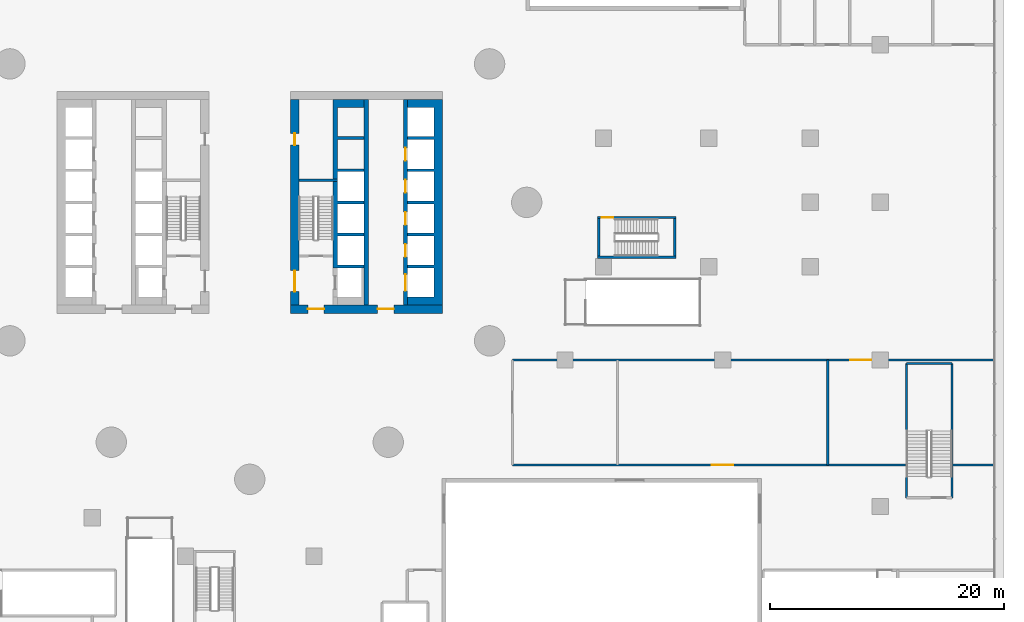
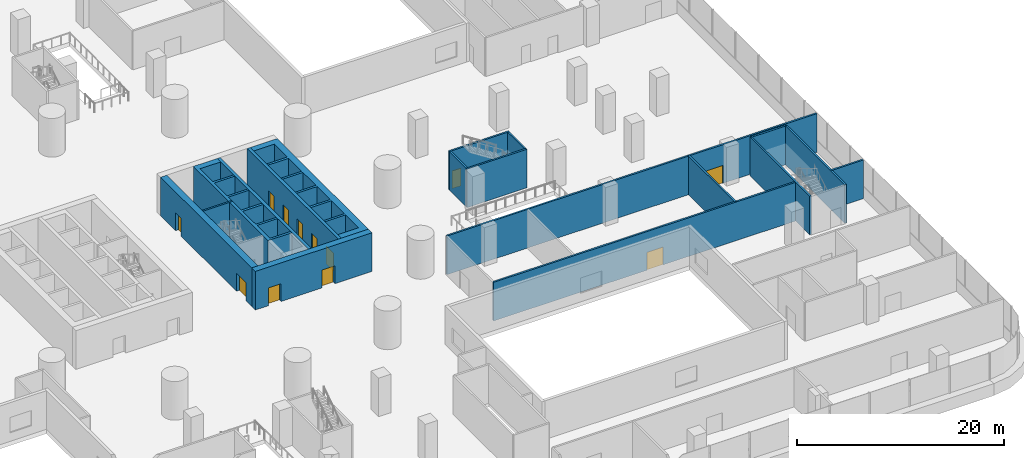
# One storey, part 26 of 38: 18 walls, 12 doors, 12 openings.
"""IFC4 building model written with IfcOpenShell, lengths in metres."""

from ifc_helpers import new_model, si_unit, direction, frame, frame_2d, origin, place, context, subcontext, project, spatial, polyline, rectangle, outline, extrude, material, layer, layer_set, type_object, element, fill, save


model = new_model("IFC4")

# Units and contexts
model_context = context("Model", 3, precision=1e-05, world=origin(), true_north=direction((0.0, 1.0)))
body_context = subcontext(model_context, "Body", "Model", "MODEL_VIEW")
ifc_project = project(units=[si_unit("LENGTHUNIT", "METRE"), si_unit("AREAUNIT", "SQUARE_METRE"), si_unit("VOLUMEUNIT", "CUBIC_METRE"), si_unit("PLANEANGLEUNIT", "RADIAN"), si_unit("MASSUNIT", "GRAM", prefix="KILO")], contexts=[model_context])

# Site, building, storey
site_placement = place(None, origin())
site = spatial("IfcSite", under=ifc_project, at=site_placement, CompositionType="ELEMENT")
building_placement = place(site_placement, origin())
building = spatial("IfcBuilding", under=site, at=building_placement, Name="Tamarind Cross Interchange Tower", CompositionType="ELEMENT")
storey_placement = place(building_placement, frame((0.0, 0.0, 20.0)))
storey = spatial("IfcBuildingStorey", under=building, at=storey_placement, Name="L03", CompositionType="ELEMENT", Elevation=20.0)

# Wall, openings, doors
ifc_material_1 = material(Name="Concrete C80", Category="concrete")
ifc_layer_1 = layer(ifc_material_1, 0.699951171875)
ifc_layer_set_1 = layer_set([ifc_layer_1], Name="Concrete C80")
wall_type_1 = type_object("IfcWallType", Name="Core wall 700 mm Concrete C80", PredefinedType="SHEAR", material=ifc_layer_set_1)
wall_1_placement = place(storey_placement, frame((16.5, -9.14990234375, 0.0), z_axis=(0.0, 0.0, 1.0), x_axis=(-1.0, 0.0, 0.0)))
wall_1 = element("IfcWall", 1, at=wall_1_placement, inside=storey, type_object=wall_type_1, Name="Core wall CWL-L03-E-S", PredefinedType="SHEAR", context=body_context, shape_type="SweptSolid", body=[
    extrude(rectangle(XDim=13.0, YDim=0.699951171875, at=frame_2d((6.5, 0.0))), origin(), (0.0, 0.0, 1.0), 4.550048828125),
])
opening_1_placement = place(wall_1_placement, frame((4.14990234375, 0.0, 0.0)))
opening_1 = element("IfcOpeningElement", 2, at=opening_1_placement, cuts=wall_1, Name="Opening DCE1", PredefinedType="OPENING", context=body_context, shape_type="SweptSolid", body=[
    extrude(rectangle(XDim=1.39990234375, YDim=2.10009765625, at=frame_2d((0.699951171875, 1.050048828125))), frame((0.0, 0.35986328125, 0.0), z_axis=(0.0, -1.0, 0.0), x_axis=(1.0, 0.0, 0.0)), (0.0, 0.0, 1.0), 0.719970703125),
])
opening_2_placement = place(wall_1_placement, frame((10.125, 0.0, 0.0)))
opening_2 = element("IfcOpeningElement", 3, at=opening_2_placement, cuts=wall_1, Name="Opening DCEF", PredefinedType="OPENING", context=body_context, shape_type="SweptSolid", body=[
    extrude(rectangle(XDim=1.39990234375, YDim=2.10009765625, at=frame_2d((0.699951171875, 1.050048828125))), frame((0.0, 0.35986328125, 0.0), z_axis=(0.0, -1.0, 0.0), x_axis=(1.0, 0.0, 0.0)), (0.0, 0.0, 1.0), 0.719970703125),
])
ifc_material_2 = material(Name="Steel, fire-resisting", Category="steel")
door_type_1 = type_object("IfcDoorType", Name="Core fire door 1400 x 2100 FD90", OperationType="SINGLE_SWING_LEFT", PredefinedType="DOOR", material=ifc_material_2)
door_1_placement = place(opening_1_placement, origin())
door_1 = element("IfcDoor", 4, at=door_1_placement, inside=storey, type_object=door_type_1, Name="L03 lift lobby door", OperationType="SINGLE_SWING_LEFT", OverallHeight=2.10009765625, OverallWidth=1.39990234375, PredefinedType="DOOR", context=body_context, shape_type="SweptSolid", body=[
    extrude(rectangle(XDim=1.39990234375, YDim=2.10009765625, at=frame_2d((0.699951171875, 1.050048828125))), frame((0.0, 0.02490234375, 0.0), z_axis=(0.0, -1.0, 0.0), x_axis=(1.0, 0.0, 0.0)), (0.0, 0.0, 1.0), 0.050048828125),
])
fill(opening_1, door_1)
door_2_placement = place(opening_2_placement, origin())
door_2 = element("IfcDoor", 5, at=door_2_placement, inside=storey, type_object=door_type_1, Name="L03 firefighting lobby end door", OperationType="SINGLE_SWING_LEFT", OverallHeight=2.10009765625, OverallWidth=1.39990234375, PredefinedType="DOOR", context=body_context, shape_type="SweptSolid", body=[
    extrude(rectangle(XDim=1.39990234375, YDim=2.10009765625, at=frame_2d((0.699951171875, 1.050048828125))), frame((0.0, 0.02490234375, 0.0), z_axis=(0.0, -1.0, 0.0), x_axis=(1.0, 0.0, 0.0)), (0.0, 0.0, 1.0), 0.050048828125),
])
fill(opening_2, door_2)

# Wall
wall_2_placement = place(storey_placement, origin())
element("IfcWall", 6, at=wall_2_placement, inside=storey, type_object=wall_type_1, Name="Core wall CWL-L03-E-A", PredefinedType="SHEAR", context=body_context, shape_type="SweptSolid", body=[
    extrude(outline(polyline([(13.5, -8.800048828125), (15.800048828125, -8.800048828125), (16.5, -8.800048828125), (16.5, 8.800048828125), (15.800048828125, 8.800048828125), (13.5, 8.800048828125), (13.5, 8.125), (15.800048828125, 8.125), (15.800048828125, 5.625), (13.5, 5.625), (13.5, 5.375), (15.800048828125, 5.375), (15.800048828125, 2.875), (13.5, 2.875), (13.5, 2.625), (15.800048828125, 2.625), (15.800048828125, 0.125), (13.5, 0.125), (13.5, -0.125), (15.800048828125, -0.125), (15.800048828125, -2.625), (13.5, -2.625), (13.5, -2.875), (15.800048828125, -2.875), (15.800048828125, -5.375), (13.5, -5.375), (13.5, -5.625), (15.800048828125, -5.625), (15.800048828125, -8.125), (13.5, -8.125), (13.5, -8.800048828125)])), origin(), (0.0, 0.0, 1.0), 4.550048828125),
])

# Wall, openings, doors
wall_3_placement = place(storey_placement, frame((3.85009765625, -8.800048828125, 0.0), z_axis=(0.0, 0.0, 1.0), x_axis=(0.0, 1.0, 0.0)))
wall_3 = element("IfcWall", 7, at=wall_3_placement, inside=storey, type_object=wall_type_1, Name="Core wall CWL-L03-E-IN", PredefinedType="SHEAR", context=body_context, shape_type="SweptSolid", body=[
    extrude(rectangle(XDim=17.60009765625, YDim=0.699951171875, at=frame_2d((8.800048828125, 0.0))), origin(), (0.0, 0.0, 1.0), 4.550048828125),
])
opening_3_placement = place(wall_3_placement, frame((1.14990234375, 0.0, 0.0)))
opening_3 = element("IfcOpeningElement", 8, at=opening_3_placement, cuts=wall_3, Name="Opening DCE4", PredefinedType="OPENING", context=body_context, shape_type="SweptSolid", body=[
    extrude(rectangle(XDim=1.800048828125, YDim=2.10009765625, at=frame_2d((0.89990234375, 1.050048828125))), frame((0.0, 0.35986328125, 0.0), z_axis=(0.0, -1.0, 0.0), x_axis=(1.0, 0.0, 0.0)), (0.0, 0.0, 1.0), 0.719970703125),
])
opening_4_placement = place(wall_3_placement, frame((13.699951171875, 0.0, 0.0)))
opening_4 = element("IfcOpeningElement", 9, at=opening_4_placement, cuts=wall_3, Name="Opening DCE5", PredefinedType="OPENING", context=body_context, shape_type="SweptSolid", body=[
    extrude(rectangle(XDim=1.0, YDim=2.10009765625, at=frame_2d((0.5, 1.050048828125))), frame((0.0, 0.35986328125, 0.0), z_axis=(0.0, -1.0, 0.0), x_axis=(1.0, 0.0, 0.0)), (0.0, 0.0, 1.0), 0.719970703125),
])
door_type_2 = type_object("IfcDoorType", Name="Core fire door 1000 x 2100 FD90", OperationType="SINGLE_SWING_LEFT", PredefinedType="DOOR", material=ifc_material_2)
door_3_placement = place(opening_4_placement, origin())
door_3 = element("IfcDoor", 10, at=door_3_placement, inside=storey, type_object=door_type_2, Name="L03 riser room door", OperationType="SINGLE_SWING_LEFT", OverallHeight=2.10009765625, OverallWidth=1.0, PredefinedType="DOOR", context=body_context, shape_type="SweptSolid", body=[
    extrude(rectangle(XDim=1.0, YDim=2.10009765625, at=frame_2d((0.5, 1.050048828125))), frame((0.0, 0.02490234375, 0.0), z_axis=(0.0, -1.0, 0.0), x_axis=(1.0, 0.0, 0.0)), (0.0, 0.0, 1.0), 0.050048828125),
])
fill(opening_4, door_3)
door_type_3 = type_object("IfcDoorType", Name="Core fire door 1800 x 2100 FD90", OperationType="SINGLE_SWING_LEFT", PredefinedType="DOOR", material=ifc_material_2)
door_4_placement = place(opening_3_placement, origin())
door_4 = element("IfcDoor", 11, at=door_4_placement, inside=storey, type_object=door_type_3, Name="L03 firefighting lobby door", OperationType="SINGLE_SWING_LEFT", OverallHeight=2.10009765625, OverallWidth=1.800048828125, PredefinedType="DOOR", context=body_context, shape_type="SweptSolid", body=[
    extrude(rectangle(XDim=1.800048828125, YDim=2.10009765625, at=frame_2d((0.89990234375, 1.050048828125))), frame((0.0, 0.02490234375, 0.0), z_axis=(0.0, -1.0, 0.0), x_axis=(1.0, 0.0, 0.0)), (0.0, 0.0, 1.0), 0.050048828125),
])
fill(opening_3, door_4)

# Walls
ifc_layer_2 = layer(ifc_material_1, 0.199951171875)
ifc_layer_set_2 = layer_set([ifc_layer_2], Name="Concrete C80")
wall_type_2 = type_object("IfcWallType", Name="Core web wall 200 mm Concrete C80", PredefinedType="SHEAR", material=ifc_layer_set_2)
wall_4_placement = place(storey_placement, frame((7.5, 1.89990234375, 0.0), z_axis=(0.0, 0.0, 1.0), x_axis=(-1.0, 0.0, 0.0)))
element("IfcWall", 12, at=wall_4_placement, inside=storey, type_object=wall_type_2, Name="Core wall CWL-L03-E-BD", PredefinedType="SHEAR", context=body_context, shape_type="SweptSolid", body=[
    extrude(rectangle(XDim=3.300048828125, YDim=0.199951171875, at=frame_2d((1.64990234375, 0.0))), origin(), (0.0, 0.0, 1.0), 4.550048828125),
])
ifc_layer_3 = layer(ifc_material_1, 0.35009765625)
ifc_layer_set_3 = layer_set([ifc_layer_3], Name="Concrete C80")
wall_type_3 = type_object("IfcWallType", Name="Core web wall 350 mm Concrete C80", PredefinedType="SHEAR", material=ifc_layer_set_3)
wall_5_placement = place(storey_placement, origin())
element("IfcWall", 13, at=wall_5_placement, inside=storey, type_object=wall_type_3, Name="Core wall CWL-L03-E-BN", PredefinedType="SHEAR", context=body_context, shape_type="SweptSolid", body=[
    extrude(outline(polyline([(9.800048828125, -5.375), (7.5, -5.375), (7.5, -2.875), (9.800048828125, -2.875), (9.800048828125, -2.625), (7.5, -2.625), (7.5, -0.125), (9.800048828125, -0.125), (9.800048828125, 0.125), (7.5, 0.125), (7.5, 2.625), (9.800048828125, 2.625), (9.800048828125, 2.875), (7.5, 2.875), (7.5, 5.375), (9.800048828125, 5.375), (9.800048828125, 5.625), (7.5, 5.625), (7.5, 8.125), (9.800048828125, 8.125), (9.800048828125, 8.800048828125), (7.5, 8.800048828125), (7.14990234375, 8.800048828125), (7.14990234375, -5.625), (7.5, -5.625), (9.800048828125, -5.625), (9.800048828125, -5.375)])), origin(), (0.0, 0.0, 1.0), 4.550048828125),
])

# Wall, openings, doors
wall_6_placement = place(storey_placement, frame((13.324951171875, -8.800048828125, 0.0), z_axis=(0.0, 0.0, 1.0), x_axis=(0.0, 1.0, 0.0)))
wall_6 = element("IfcWall", 14, at=wall_6_placement, inside=storey, type_object=wall_type_3, Name="Core wall CWL-L03-E-LA", PredefinedType="SHEAR", context=body_context, shape_type="SweptSolid", body=[
    extrude(rectangle(XDim=17.60009765625, YDim=0.35009765625, at=frame_2d((8.800048828125, 0.0))), origin(), (0.0, 0.0, 1.0), 4.550048828125),
])
opening_5_placement = place(wall_6_placement, frame((1.22509765625, 0.0, 0.0)))
opening_5 = element("IfcOpeningElement", 15, at=opening_5_placement, cuts=wall_6, Name="Opening LD13L03", PredefinedType="OPENING", context=body_context, shape_type="SweptSolid", body=[
    extrude(rectangle(XDim=1.39990234375, YDim=2.10009765625, at=frame_2d((0.699951171875, 1.050048828125))), frame((0.0, 0.18505859375, 0.0), z_axis=(0.0, -1.0, 0.0), x_axis=(1.0, 0.0, 0.0)), (0.0, 0.0, 1.0), 0.3701171875),
])
opening_6_placement = place(wall_6_placement, frame((4.125, 0.0, 0.0)))
opening_6 = element("IfcOpeningElement", 16, at=opening_6_placement, cuts=wall_6, Name="Opening LD14L03", PredefinedType="OPENING", context=body_context, shape_type="SweptSolid", body=[
    extrude(rectangle(XDim=1.10009765625, YDim=2.10009765625, at=frame_2d((0.550048828125, 1.050048828125))), frame((0.0, 0.18505859375, 0.0), z_axis=(0.0, -1.0, 0.0), x_axis=(1.0, 0.0, 0.0)), (0.0, 0.0, 1.0), 0.3701171875),
])
opening_7_placement = place(wall_6_placement, frame((6.875, 0.0, 0.0)))
opening_7 = element("IfcOpeningElement", 17, at=opening_7_placement, cuts=wall_6, Name="Opening LD15L03", PredefinedType="OPENING", context=body_context, shape_type="SweptSolid", body=[
    extrude(rectangle(XDim=1.10009765625, YDim=2.10009765625, at=frame_2d((0.550048828125, 1.050048828125))), frame((0.0, 0.18505859375, 0.0), z_axis=(0.0, -1.0, 0.0), x_axis=(1.0, 0.0, 0.0)), (0.0, 0.0, 1.0), 0.3701171875),
])
opening_8_placement = place(wall_6_placement, frame((9.625, 0.0, 0.0)))
opening_8 = element("IfcOpeningElement", 18, at=opening_8_placement, cuts=wall_6, Name="Opening LD16L03", PredefinedType="OPENING", context=body_context, shape_type="SweptSolid", body=[
    extrude(rectangle(XDim=1.10009765625, YDim=2.10009765625, at=frame_2d((0.550048828125, 1.050048828125))), frame((0.0, 0.18505859375, 0.0), z_axis=(0.0, -1.0, 0.0), x_axis=(1.0, 0.0, 0.0)), (0.0, 0.0, 1.0), 0.3701171875),
])
opening_9_placement = place(wall_6_placement, frame((12.375, 0.0, 0.0)))
opening_9 = element("IfcOpeningElement", 19, at=opening_9_placement, cuts=wall_6, Name="Opening LD17L03", PredefinedType="OPENING", context=body_context, shape_type="SweptSolid", body=[
    extrude(rectangle(XDim=1.10009765625, YDim=2.10009765625, at=frame_2d((0.550048828125, 1.050048828125))), frame((0.0, 0.18505859375, 0.0), z_axis=(0.0, -1.0, 0.0), x_axis=(1.0, 0.0, 0.0)), (0.0, 0.0, 1.0), 0.3701171875),
])
ifc_material_3 = material(Name="Stainless steel panel", Category="steel")
door_type_4 = type_object("IfcDoorType", Name="Lift landing door 1100 x 2100 E 120", OperationType="SLIDING_TO_LEFT", PredefinedType="DOOR", material=ifc_material_3)
door_5_placement = place(opening_6_placement, origin())
door_5 = element("IfcDoor", 20, at=door_5_placement, inside=storey, type_object=door_type_4, Name="L03 landing door LF14", OperationType="SLIDING_TO_LEFT", OverallHeight=2.10009765625, OverallWidth=1.10009765625, PredefinedType="DOOR", context=body_context, shape_type="SweptSolid", body=[
    extrude(rectangle(XDim=1.10009765625, YDim=2.10009765625, at=frame_2d((0.550048828125, 1.050048828125))), frame((0.0, 0.02490234375, 0.0), z_axis=(0.0, -1.0, 0.0), x_axis=(1.0, 0.0, 0.0)), (0.0, 0.0, 1.0), 0.050048828125),
])
fill(opening_6, door_5)
door_6_placement = place(opening_7_placement, origin())
door_6 = element("IfcDoor", 21, at=door_6_placement, inside=storey, type_object=door_type_4, Name="L03 landing door LF15", OperationType="SLIDING_TO_LEFT", OverallHeight=2.10009765625, OverallWidth=1.10009765625, PredefinedType="DOOR", context=body_context, shape_type="SweptSolid", body=[
    extrude(rectangle(XDim=1.10009765625, YDim=2.10009765625, at=frame_2d((0.550048828125, 1.050048828125))), frame((0.0, 0.02490234375, 0.0), z_axis=(0.0, -1.0, 0.0), x_axis=(1.0, 0.0, 0.0)), (0.0, 0.0, 1.0), 0.050048828125),
])
fill(opening_7, door_6)
door_7_placement = place(opening_8_placement, origin())
door_7 = element("IfcDoor", 22, at=door_7_placement, inside=storey, type_object=door_type_4, Name="L03 landing door LF16", OperationType="SLIDING_TO_LEFT", OverallHeight=2.10009765625, OverallWidth=1.10009765625, PredefinedType="DOOR", context=body_context, shape_type="SweptSolid", body=[
    extrude(rectangle(XDim=1.10009765625, YDim=2.10009765625, at=frame_2d((0.550048828125, 1.050048828125))), frame((0.0, 0.02490234375, 0.0), z_axis=(0.0, -1.0, 0.0), x_axis=(1.0, 0.0, 0.0)), (0.0, 0.0, 1.0), 0.050048828125),
])
fill(opening_8, door_7)
door_8_placement = place(opening_9_placement, origin())
door_8 = element("IfcDoor", 23, at=door_8_placement, inside=storey, type_object=door_type_4, Name="L03 landing door LF17", OperationType="SLIDING_TO_LEFT", OverallHeight=2.10009765625, OverallWidth=1.10009765625, PredefinedType="DOOR", context=body_context, shape_type="SweptSolid", body=[
    extrude(rectangle(XDim=1.10009765625, YDim=2.10009765625, at=frame_2d((0.550048828125, 1.050048828125))), frame((0.0, 0.02490234375, 0.0), z_axis=(0.0, -1.0, 0.0), x_axis=(1.0, 0.0, 0.0)), (0.0, 0.0, 1.0), 0.050048828125),
])
fill(opening_9, door_8)
door_type_5 = type_object("IfcDoorType", Name="Lift landing door 1400 x 2100 E 120", OperationType="SLIDING_TO_LEFT", PredefinedType="DOOR", material=ifc_material_3)
door_9_placement = place(opening_5_placement, origin())
door_9 = element("IfcDoor", 24, at=door_9_placement, inside=storey, type_object=door_type_5, Name="L03 landing door LF13", OperationType="SLIDING_TO_LEFT", OverallHeight=2.10009765625, OverallWidth=1.39990234375, PredefinedType="DOOR", context=body_context, shape_type="SweptSolid", body=[
    extrude(rectangle(XDim=1.39990234375, YDim=2.10009765625, at=frame_2d((0.699951171875, 1.050048828125))), frame((0.0, 0.02490234375, 0.0), z_axis=(0.0, -1.0, 0.0), x_axis=(1.0, 0.0, 0.0)), (0.0, 0.0, 1.0), 0.050048828125),
])
fill(opening_5, door_9)

# Wall
wall_7_placement = place(storey_placement, frame((9.97509765625, -8.800048828125, 0.0), z_axis=(0.0, 0.0, 1.0), x_axis=(0.0, 1.0, 0.0)))
element("IfcWall", 25, at=wall_7_placement, inside=storey, type_object=wall_type_3, Name="Core wall CWL-L03-E-LB", PredefinedType="SHEAR", context=body_context, shape_type="SweptSolid", body=[
    extrude(rectangle(XDim=17.60009765625, YDim=0.35009765625, at=frame_2d((8.800048828125, 0.0))), origin(), (0.0, 0.0, 1.0), 4.550048828125),
])

# Wall, opening, door
ifc_material_4 = material(Name="Masonry partition, fire-rated", Category="masonry")
ifc_layer_4 = layer(ifc_material_4, 0.199951171875)
ifc_layer_set_4 = layer_set([ifc_layer_4], Name="Masonry partition, fire-rated")
wall_type_4 = type_object("IfcWallType", Name="Fire partition 200 EI 120", PredefinedType="PARTITIONING", material=ifc_layer_set_4)
wall_8_placement = place(storey_placement, frame((22.5, -22.5, 0.0), z_axis=(0.0, 0.0, 1.0), x_axis=(1.0, 0.0, 0.0)))
wall_8 = element("IfcWall", 26, at=wall_8_placement, inside=storey, type_object=wall_type_4, Name="L03 partition 96", PredefinedType="PARTITIONING", context=body_context, shape_type="SweptSolid", body=[
    extrude(rectangle(XDim=33.719970703125, YDim=0.199951171875, at=frame_2d((16.85986328125, 0.0))), origin(), (0.0, 0.0, 1.0), 4.550048828125),
])
opening_10_placement = place(wall_8_placement, frame((17.090087890625, 0.0, 0.0)))
opening_10 = element("IfcOpeningElement", 27, at=opening_10_placement, cuts=wall_8, Name="Opening DL03-42", PredefinedType="OPENING", context=body_context, shape_type="SweptSolid", body=[
    extrude(rectangle(XDim=1.800048828125, YDim=2.10009765625, at=frame_2d((0.89990234375, 1.050048828125))), frame((0.0, 0.10986328125, 0.0), z_axis=(0.0, -1.0, 0.0), x_axis=(1.0, 0.0, 0.0)), (0.0, 0.0, 1.0), 0.219970703125),
])
door_type_6 = type_object("IfcDoorType", Name="Podium door 1800 x 2100 FD60", OperationType="SINGLE_SWING_LEFT", PredefinedType="DOOR", material=ifc_material_2)
door_10_placement = place(opening_10_placement, origin())
door_10 = element("IfcDoor", 28, at=door_10_placement, inside=storey, type_object=door_type_6, Name="L03 door Training Room 0326", OperationType="SINGLE_SWING_RIGHT", OverallHeight=2.10009765625, OverallWidth=1.800048828125, PredefinedType="DOOR", context=body_context, shape_type="SweptSolid", body=[
    extrude(rectangle(XDim=1.800048828125, YDim=2.10009765625, at=frame_2d((0.89990234375, 1.050048828125))), frame((0.0, 0.02490234375, 0.0), z_axis=(0.0, -1.0, 0.0), x_axis=(1.0, 0.0, 0.0)), (0.0, 0.0, 1.0), 0.050048828125),
])
fill(opening_10, door_10)

wall_9_placement = place(storey_placement, frame((22.5, -13.5, 0.0), z_axis=(0.0, 0.0, 1.0), x_axis=(1.0, 0.0, 0.0)))
wall_9 = element("IfcWall", 29, at=wall_9_placement, inside=storey, type_object=wall_type_4, Name="L03 partition 99", PredefinedType="PARTITIONING", context=body_context, shape_type="SweptSolid", body=[
    extrude(rectangle(XDim=41.198974609375, YDim=0.199951171875, at=frame_2d((20.599609375, 0.0))), origin(), (0.0, 0.0, 1.0), 4.550048828125),
])
opening_11_placement = place(wall_9_placement, frame((28.927978515625, 0.0, 0.0)))
opening_11 = element("IfcOpeningElement", 30, at=opening_11_placement, cuts=wall_9, Name="Opening DL03-43", PredefinedType="OPENING", context=body_context, shape_type="SweptSolid", body=[
    extrude(rectangle(XDim=1.800048828125, YDim=2.10009765625, at=frame_2d((0.89990234375, 1.050048828125))), frame((0.0, 0.10986328125, 0.0), z_axis=(0.0, -1.0, 0.0), x_axis=(1.0, 0.0, 0.0)), (0.0, 0.0, 1.0), 0.219970703125),
])
door_11_placement = place(opening_11_placement, origin())
door_11 = element("IfcDoor", 31, at=door_11_placement, inside=storey, type_object=door_type_6, Name="L03 door Co-working Suite 0327", OperationType="SINGLE_SWING_LEFT", OverallHeight=2.10009765625, OverallWidth=1.800048828125, PredefinedType="DOOR", context=body_context, shape_type="SweptSolid", body=[
    extrude(rectangle(XDim=1.800048828125, YDim=2.10009765625, at=frame_2d((0.89990234375, 1.050048828125))), frame((0.0, 0.02490234375, 0.0), z_axis=(0.0, -1.0, 0.0), x_axis=(1.0, 0.0, 0.0)), (0.0, 0.0, 1.0), 0.050048828125),
])
fill(opening_11, door_11)

# Walls
wall_10_placement = place(storey_placement, frame((49.5, -22.5, 0.0), z_axis=(0.0, 0.0, 1.0), x_axis=(0.0, 1.0, 0.0)))
element("IfcWall", 32, at=wall_10_placement, inside=storey, type_object=wall_type_4, Name="L03 partition 110", PredefinedType="PARTITIONING", context=body_context, shape_type="SweptSolid", body=[
    extrude(rectangle(XDim=9.0, YDim=0.199951171875, at=frame_2d((4.5, 0.0))), origin(), (0.0, 0.0, 1.0), 4.550048828125),
])
wall_11_placement = place(storey_placement, frame((60.179931640625, -22.5, 0.0), z_axis=(0.0, 0.0, 1.0), x_axis=(1.0, 0.0, 0.0)))
element("IfcWall", 33, at=wall_11_placement, inside=storey, type_object=wall_type_4, Name="L03 partition 120", PredefinedType="PARTITIONING", context=body_context, shape_type="SweptSolid", body=[
    extrude(rectangle(XDim=3.51904296875, YDim=0.199951171875, at=frame_2d((1.759521484375, 0.0))), origin(), (0.0, 0.0, 1.0), 4.550048828125),
])
ifc_material_5 = material(Name="Concrete C40", Category="concrete")
ifc_layer_5 = layer(ifc_material_5, 0.199951171875)
ifc_layer_set_5 = layer_set([ifc_layer_5], Name="Concrete C40")
wall_type_5 = type_object("IfcWallType", Name="Stair shaft wall 200 EI 180", PredefinedType="PARTITIONING", material=ifc_layer_set_5)
wall_12_placement = place(storey_placement, frame((56.25, -25.300048828125, 0.0), z_axis=(0.0, 0.0, 1.0), x_axis=(0.0, 1.0, 0.0)))
element("IfcWall", 34, at=wall_12_placement, inside=storey, type_object=wall_type_5, Name="L03 stair shaft wall 37", PredefinedType="PARTITIONING", context=body_context, shape_type="SweptSolid", body=[
    extrude(rectangle(XDim=11.5, YDim=0.199951171875, at=frame_2d((5.75, 0.0))), origin(), (0.0, 0.0, 1.0), 4.550048828125),
])
wall_13_placement = place(storey_placement, frame((56.25, -13.800048828125, 0.0), z_axis=(0.0, 0.0, 1.0), x_axis=(1.0, 0.0, 0.0)))
element("IfcWall", 35, at=wall_13_placement, inside=storey, type_object=wall_type_5, Name="L03 stair shaft wall 38", PredefinedType="PARTITIONING", context=body_context, shape_type="SweptSolid", body=[
    extrude(rectangle(XDim=3.89990234375, YDim=0.199951171875, at=frame_2d((1.949951171875, 0.0))), origin(), (0.0, 0.0, 1.0), 4.550048828125),
])
wall_14_placement = place(storey_placement, frame((60.14990234375, -25.300048828125, 0.0), z_axis=(0.0, 0.0, 1.0), x_axis=(0.0, 1.0, 0.0)))
element("IfcWall", 36, at=wall_14_placement, inside=storey, type_object=wall_type_5, Name="L03 stair shaft wall 39", PredefinedType="PARTITIONING", context=body_context, shape_type="SweptSolid", body=[
    extrude(rectangle(XDim=11.5, YDim=0.199951171875, at=frame_2d((5.75, 0.0))), origin(), (0.0, 0.0, 1.0), 4.550048828125),
])

# Wall, opening, door
ifc_layer_6 = layer(ifc_material_5, 0.199951171875)
ifc_layer_set_6 = layer_set([ifc_layer_6], Name="Concrete C40")
wall_type_6 = type_object("IfcWallType", Name="Stair shaft wall 200 mm Concrete C40", PredefinedType="SHEAR", material=ifc_layer_set_6)
wall_15_placement = place(storey_placement, frame((29.800048828125, -1.300048828125, 0.0), z_axis=(0.0, 0.0, 1.0), x_axis=(1.0, 0.0, 0.0)))
wall_15 = element("IfcWall", 37, at=wall_15_placement, inside=storey, type_object=wall_type_6, Name="Core wall CWL-L03-ST3-H", PredefinedType="SHEAR", context=body_context, shape_type="SweptSolid", body=[
    extrude(rectangle(XDim=6.699951171875, YDim=0.199951171875, at=frame_2d((3.35009765625, 0.0))), origin(), (0.0, 0.0, 1.0), 4.550048828125),
])
opening_12_placement = place(wall_15_placement, frame((0.35009765625, 0.0, 0.0)))
opening_12 = element("IfcOpeningElement", 38, at=opening_12_placement, cuts=wall_15, Name="Opening ST3L03", PredefinedType="OPENING", context=body_context, shape_type="SweptSolid", body=[
    extrude(rectangle(XDim=1.0, YDim=2.10009765625, at=frame_2d((0.5, 1.050048828125))), frame((0.0, 0.10986328125, 0.0), z_axis=(0.0, -1.0, 0.0), x_axis=(1.0, 0.0, 0.0)), (0.0, 0.0, 1.0), 0.219970703125),
])
door_12_placement = place(opening_12_placement, origin())
door_12 = element("IfcDoor", 39, at=door_12_placement, inside=storey, type_object=door_type_2, Name="L03 stair door ST3", OperationType="SINGLE_SWING_LEFT", OverallHeight=2.10009765625, OverallWidth=1.0, PredefinedType="DOOR", context=body_context, shape_type="SweptSolid", body=[
    extrude(rectangle(XDim=1.0, YDim=2.10009765625, at=frame_2d((0.5, 1.050048828125))), frame((0.0, 0.02490234375, 0.0), z_axis=(0.0, -1.0, 0.0), x_axis=(1.0, 0.0, 0.0)), (0.0, 0.0, 1.0), 0.050048828125),
])
fill(opening_12, door_12)

# Walls
wall_16_placement = place(storey_placement, frame((29.800048828125, -4.699951171875, 0.0), z_axis=(0.0, 0.0, 1.0), x_axis=(1.0, 0.0, 0.0)))
element("IfcWall", 40, at=wall_16_placement, inside=storey, type_object=wall_type_6, Name="Core wall CWL-L03-ST3-C", PredefinedType="SHEAR", context=body_context, shape_type="SweptSolid", body=[
    extrude(rectangle(XDim=6.699951171875, YDim=0.199951171875, at=frame_2d((3.35009765625, 0.0))), origin(), (0.0, 0.0, 1.0), 4.550048828125),
])
wall_17_placement = place(storey_placement, frame((29.89990234375, -4.60009765625, 0.0), z_axis=(0.0, 0.0, 1.0), x_axis=(0.0, 1.0, 0.0)))
element("IfcWall", 41, at=wall_17_placement, inside=storey, type_object=wall_type_6, Name="Core wall CWL-L03-ST3-CE", PredefinedType="SHEAR", context=body_context, shape_type="SweptSolid", body=[
    extrude(rectangle(XDim=3.2001953125, YDim=0.199951171875, at=frame_2d((1.60009765625, 0.0))), origin(), (0.0, 0.0, 1.0), 4.550048828125),
])
wall_18_placement = place(storey_placement, origin())
element("IfcWall", 42, at=wall_18_placement, inside=storey, type_object=wall_type_6, Name="Core wall CWL-L03-ST3-CF", PredefinedType="SHEAR", context=body_context, shape_type="SweptSolid", body=[
    extrude(outline(polyline([(36.300048828125, -4.60009765625), (36.5, -4.60009765625), (36.5, -1.39990234375), (36.300048828125, -1.39990234375), (36.300048828125, -4.60009765625)])), origin(), (0.0, 0.0, 1.0), 4.550048828125),
])

save(model, "model.ifc")
